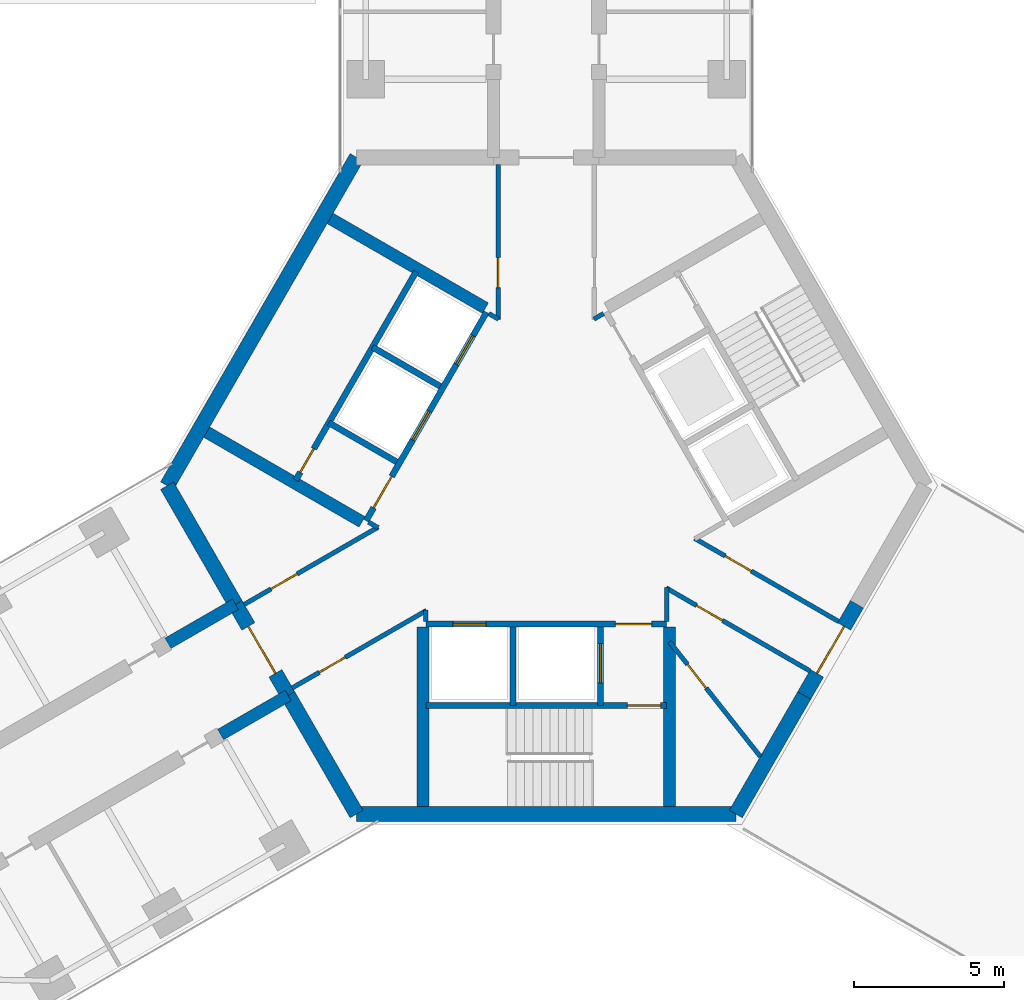
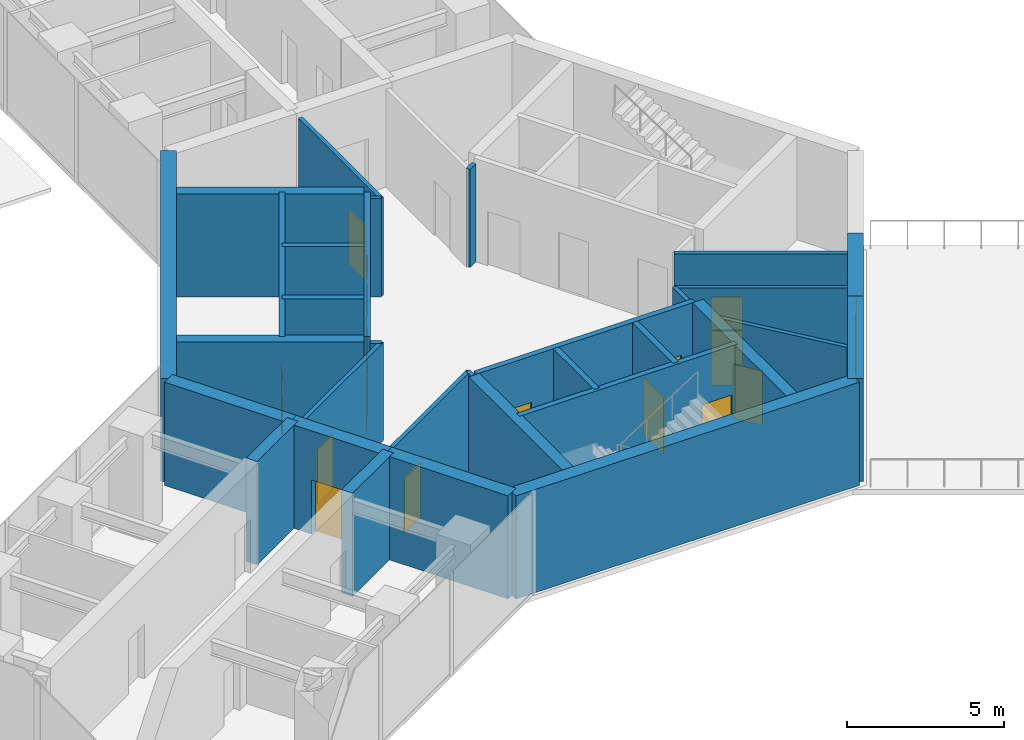
# One storey, part 14 of 18: 32 walls, 16 doors, 16 openings.
"""IFC4 building model written with IfcOpenShell, lengths in metres."""

from ifc_helpers import new_model, si_unit, direction, frame, frame_2d, origin, place, context, subcontext, project, spatial, rectangle, extrude, material, layer, layer_set, type_object, element, fill, save


model = new_model("IFC4")

# Units and contexts
model_context = context("Model", 3, precision=1e-05, world=origin(), true_north=direction((0.0, 1.0)))
body_context = subcontext(model_context, "Body", "Model", "MODEL_VIEW")
ifc_project = project(units=[si_unit("LENGTHUNIT", "METRE"), si_unit("AREAUNIT", "SQUARE_METRE"), si_unit("VOLUMEUNIT", "CUBIC_METRE"), si_unit("PLANEANGLEUNIT", "RADIAN"), si_unit("MASSUNIT", "GRAM", prefix="KILO")], contexts=[model_context])

# Site, building, storey
site_placement = place(None, origin())
site = spatial("IfcSite", under=ifc_project, at=site_placement, CompositionType="ELEMENT")
building_placement = place(site_placement, origin())
building = spatial("IfcBuilding", under=site, at=building_placement, Name="Upepo Twin Towers", CompositionType="ELEMENT")
storey_placement = place(building_placement, frame((0.0, 0.0, 170.5)))
storey = spatial("IfcBuildingStorey", under=building, at=storey_placement, Name="L41", CompositionType="ELEMENT", Elevation=170.5)

# Walls
ifc_material_1 = material(Name="Concrete C60/75", Category="concrete")
ifc_layer_1 = layer(ifc_material_1, 0.39990234375)
ifc_layer_set_1 = layer_set([ifc_layer_1], Name="Concrete C60/75")
wall_type_1 = type_object("IfcWallType", Name="Buttress wall 400 RC", PredefinedType="SHEAR", material=ifc_layer_set_1)
for number, where, z_axis, x_axis, name in (
    (1, (49.92822265625, -24.9697265625, 0.0), (0.0, 0.0, 1.0), (-0.866031863473, -0.499988811324, 0.0), "T2 wing B buttress wall L"),
    (2, (48.17822265625, -21.938720703125, 0.0), (0.0, 0.0, 1.0), (-0.866072649678, -0.499918158782, 0.0), "T2 wing B buttress wall R"),
):
    element("IfcWall", number, at=place(storey_placement, frame(where, z_axis=z_axis, x_axis=x_axis)), inside=storey, type_object=wall_type_1, Name=name, PredefinedType="SHEAR", context=body_context, shape_type="SweptSolid", body=[
        extrude(rectangle(XDim=2.591796875, YDim=0.39990234375, at=frame_2d((1.2958984375, 0.0))), origin(), (0.0, 0.0, 1.0), 4.0),
    ])
ifc_material_2 = material(Name="Concrete C60/75", Category="concrete")
ifc_layer_2 = layer(ifc_material_2, 0.5)
ifc_layer_set_2 = layer_set([ifc_layer_2], Name="Concrete C60/75")
wall_type_2 = type_object("IfcWallType", Name="Core wall 500 RC", PredefinedType="SHEAR", material=ifc_layer_set_2)
wall_1_placement = place(storey_placement, frame((52.2021484375, -7.091552734375, 0.0), z_axis=(0.0, 0.0, 1.0), x_axis=(-0.500005998175, -0.866021940709, 0.0)))
element("IfcWall", 3, at=wall_1_placement, inside=storey, type_object=wall_type_2, Name="T2 core wall 060", PredefinedType="SHEAR", context=body_context, shape_type="SweptSolid", body=[
    extrude(rectangle(XDim=12.595947265625, YDim=0.5, at=frame_2d((6.2978515625, 0.0))), origin(), (0.0, 0.0, 1.0), 4.0),
])
wall_2_placement = place(storey_placement, frame((45.904052734375, -18.0, 0.0), z_axis=(0.0, 0.0, 1.0), x_axis=(0.500024481964, -0.866011268655, 0.0)))
element("IfcWall", 4, at=wall_2_placement, inside=storey, type_object=wall_type_2, Name="T2 core wall 120 R", PredefinedType="SHEAR", context=body_context, shape_type="SweptSolid", body=[
    extrude(rectangle(XDim=4.548095703125, YDim=0.5, at=frame_2d((2.27392578125, 0.0))), origin(), (0.0, 0.0, 1.0), 4.0),
])

# Wall, opening, door
wall_3_placement = place(storey_placement, frame((48.17822265625, -21.938720703125, 0.0), z_axis=(0.0, 0.0, 1.0), x_axis=(0.500010275428, -0.866019471182, 0.0)))
wall_3 = element("IfcWall", 5, at=wall_3_placement, inside=storey, type_object=wall_type_2, Name="T2 core wall 120", PredefinedType="SHEAR", context=body_context, shape_type="SweptSolid", body=[
    extrude(rectangle(XDim=3.5, YDim=0.5, at=frame_2d((1.75, 0.0))), origin(), (0.0, 0.0, 1.0), 4.0),
])
opening_1_placement = place(wall_3_placement, frame((0.85009765625, 0.0, 0.0)))
opening_1 = element("IfcOpeningElement", 6, at=opening_1_placement, cuts=wall_3, Name="Opening D2", PredefinedType="OPENING", context=body_context, shape_type="SweptSolid", body=[
    extrude(rectangle(XDim=1.800048828125, YDim=2.10009765625, at=frame_2d((0.89990234375, 1.050048828125))), frame((0.0, 0.260009765625, 0.0), z_axis=(0.0, -1.0, 0.0), x_axis=(1.0, 0.0, 0.0)), (0.0, 0.0, 1.0), 0.52001953125),
])
ifc_material_3 = material(Name="Timber doorset", Category="wood")
door_type_1 = type_object("IfcDoorType", Name="Corridor double door 1800 FD60", OperationType="DOUBLE_DOOR_DOUBLE_SWING", PredefinedType="DOOR", material=ifc_material_3)
door_1_placement = place(opening_1_placement, origin())
door_1 = element("IfcDoor", 7, at=door_1_placement, inside=storey, type_object=door_type_1, Name="T2 L41 wing B corridor door", OperationType="DOUBLE_DOOR_DOUBLE_SWING", OverallHeight=2.10009765625, OverallWidth=1.800048828125, PredefinedType="DOOR", context=body_context, shape_type="SweptSolid", body=[
    extrude(rectangle(XDim=1.800048828125, YDim=2.10009765625, at=frame_2d((0.89990234375, 1.050048828125))), frame((0.0, 0.02490234375, 0.0), z_axis=(0.0, -1.0, 0.0), x_axis=(1.0, 0.0, 0.0)), (0.0, 0.0, 1.0), 0.050048828125),
])
fill(opening_1, door_1)

# Walls
wall_4_placement = place(storey_placement, frame((49.92822265625, -24.9697265625, 0.0), z_axis=(0.0, 0.0, 1.0), x_axis=(0.499984222037, -0.866034513004, 0.0)))
element("IfcWall", 8, at=wall_4_placement, inside=storey, type_object=wall_type_2, Name="T2 core wall 120 L", PredefinedType="SHEAR", context=body_context, shape_type="SweptSolid", body=[
    extrude(rectangle(XDim=4.548095703125, YDim=0.5, at=frame_2d((2.27392578125, 0.0))), origin(), (0.0, 0.0, 1.0), 4.0),
])
wall_5_placement = place(storey_placement, frame((52.2021484375, -28.908447265625, 0.0), z_axis=(0.0, 0.0, 1.0), x_axis=(1.0, 0.0, 0.0)))
element("IfcWall", 9, at=wall_5_placement, inside=storey, type_object=wall_type_2, Name="T2 core wall 180", PredefinedType="SHEAR", context=body_context, shape_type="SweptSolid", body=[
    extrude(rectangle(XDim=12.595703125, YDim=0.5, at=frame_2d((6.2978515625, 0.0))), origin(), (0.0, 0.0, 1.0), 4.0),
])
wall_6_placement = place(storey_placement, frame((64.7978515625, -28.908447265625, 0.0), z_axis=(0.0, 0.0, 1.0), x_axis=(0.499984222037, 0.866034513004, 0.0)))
element("IfcWall", 10, at=wall_6_placement, inside=storey, type_object=wall_type_2, Name="T2 core wall 240 R", PredefinedType="SHEAR", context=body_context, shape_type="SweptSolid", body=[
    extrude(rectangle(XDim=4.548095703125, YDim=0.5, at=frame_2d((2.27392578125, 0.0))), origin(), (0.0, 0.0, 1.0), 4.0),
])

# Wall, opening, door
wall_7_placement = place(storey_placement, frame((67.07177734375, -24.9697265625, 0.0), z_axis=(0.0, 0.0, 1.0), x_axis=(0.500010275428, 0.866019471182, 0.0)))
wall_7 = element("IfcWall", 11, at=wall_7_placement, inside=storey, type_object=wall_type_2, Name="T2 core wall 240", PredefinedType="SHEAR", context=body_context, shape_type="SweptSolid", body=[
    extrude(rectangle(XDim=3.5, YDim=0.5, at=frame_2d((1.75, 0.0))), origin(), (0.0, 0.0, 1.0), 4.0),
])
opening_2_placement = place(wall_7_placement, frame((0.85009765625, 0.0, 0.0)))
opening_2 = element("IfcOpeningElement", 12, at=opening_2_placement, cuts=wall_7, Name="Opening D2", PredefinedType="OPENING", context=body_context, shape_type="SweptSolid", body=[
    extrude(rectangle(XDim=1.800048828125, YDim=2.10009765625, at=frame_2d((0.89990234375, 1.050048828125))), frame((0.0, 0.260009765625, 0.0), z_axis=(0.0, -1.0, 0.0), x_axis=(1.0, 0.0, 0.0)), (0.0, 0.0, 1.0), 0.52001953125),
])
door_2_placement = place(opening_2_placement, origin())
door_2 = element("IfcDoor", 13, at=door_2_placement, inside=storey, type_object=door_type_1, Name="T2 L41 sky terrace door", OperationType="DOUBLE_DOOR_DOUBLE_SWING", OverallHeight=2.10009765625, OverallWidth=1.800048828125, PredefinedType="DOOR", context=body_context, shape_type="SweptSolid", body=[
    extrude(rectangle(XDim=1.800048828125, YDim=2.10009765625, at=frame_2d((0.89990234375, 1.050048828125))), frame((0.0, 0.02490234375, 0.0), z_axis=(0.0, -1.0, 0.0), x_axis=(1.0, 0.0, 0.0)), (0.0, 0.0, 1.0), 0.050048828125),
])
fill(opening_2, door_2)

# Wall, openings, doors
ifc_material_4 = material(Name="Concrete C40/50", Category="concrete")
ifc_layer_3 = layer(ifc_material_4, 0.199951171875)
ifc_layer_set_3 = layer_set([ifc_layer_3], Name="Concrete C40/50")
wall_type_3 = type_object("IfcWallType", Name="Shaft wall 200 RC", PredefinedType="SHEAR", material=ifc_layer_set_3)
wall_8_placement = place(storey_placement, frame((56.516357421875, -12.23583984375, 0.0), z_axis=(0.0, 0.0, 1.0), x_axis=(-0.49999894854, -0.866026010844, 0.0)))
wall_8 = element("IfcWall", 14, at=wall_8_placement, inside=storey, type_object=wall_type_3, Name="T2 core W60 front wall", PredefinedType="SHEAR", context=body_context, shape_type="SweptSolid", body=[
    extrude(rectangle(XDim=8.0, YDim=0.199951171875, at=frame_2d((4.0, 0.0))), origin(), (0.0, 0.0, 1.0), 4.0),
])
opening_3_placement = place(wall_8_placement, frame((6.300048828125, 0.0, 0.0)))
opening_3 = element("IfcOpeningElement", 15, at=opening_3_placement, cuts=wall_8, Name="Opening D4", PredefinedType="OPENING", context=body_context, shape_type="SweptSolid", body=[
    extrude(rectangle(XDim=1.199951171875, YDim=2.10009765625, at=frame_2d((0.60009765625, 1.050048828125))), frame((0.0, 0.10986328125, 0.0), z_axis=(0.0, -1.0, 0.0), x_axis=(1.0, 0.0, 0.0)), (0.0, 0.0, 1.0), 0.219970703125),
])
opening_4_placement = place(wall_8_placement, frame((0.89990234375, 0.0, 0.0)))
opening_4 = element("IfcOpeningElement", 16, at=opening_4_placement, cuts=wall_8, Name="Opening LD1", PredefinedType="OPENING", context=body_context, shape_type="SweptSolid", body=[
    extrude(rectangle(XDim=1.10009765625, YDim=2.199951171875, at=frame_2d((0.550048828125, 1.10009765625))), frame((0.0, 0.10986328125, 0.0), z_axis=(0.0, -1.0, 0.0), x_axis=(1.0, 0.0, 0.0)), (0.0, 0.0, 1.0), 0.219970703125),
])
opening_5_placement = place(wall_8_placement, frame((3.800048828125, 0.0, 0.0)))
opening_5 = element("IfcOpeningElement", 17, at=opening_5_placement, cuts=wall_8, Name="Opening LD1", PredefinedType="OPENING", context=body_context, shape_type="SweptSolid", body=[
    extrude(rectangle(XDim=1.10009765625, YDim=2.199951171875, at=frame_2d((0.550048828125, 1.10009765625))), frame((0.0, 0.10986328125, 0.0), z_axis=(0.0, -1.0, 0.0), x_axis=(1.0, 0.0, 0.0)), (0.0, 0.0, 1.0), 0.219970703125),
])
ifc_material_5 = material(Name="Steel doorset", Category="steel")
door_type_2 = type_object("IfcDoorType", Name="Lift landing door 1100", OperationType="DOUBLE_DOOR_SLIDING", PredefinedType="DOOR", material=ifc_material_5)
door_3_placement = place(opening_4_placement, origin())
door_3 = element("IfcDoor", 18, at=door_3_placement, inside=storey, type_object=door_type_2, Name="T2 L41 lift EX1 landing door", OperationType="DOUBLE_DOOR_SLIDING", OverallHeight=2.199951171875, OverallWidth=1.10009765625, PredefinedType="DOOR", context=body_context, shape_type="SweptSolid", body=[
    extrude(rectangle(XDim=1.10009765625, YDim=2.199951171875, at=frame_2d((0.550048828125, 1.10009765625))), frame((0.0, 0.02490234375, 0.0), z_axis=(0.0, -1.0, 0.0), x_axis=(1.0, 0.0, 0.0)), (0.0, 0.0, 1.0), 0.050048828125),
])
fill(opening_4, door_3)
door_4_placement = place(opening_5_placement, origin())
door_4 = element("IfcDoor", 19, at=door_4_placement, inside=storey, type_object=door_type_2, Name="T2 L41 lift EX2 landing door", OperationType="DOUBLE_DOOR_SLIDING", OverallHeight=2.199951171875, OverallWidth=1.10009765625, PredefinedType="DOOR", context=body_context, shape_type="SweptSolid", body=[
    extrude(rectangle(XDim=1.10009765625, YDim=2.199951171875, at=frame_2d((0.550048828125, 1.10009765625))), frame((0.0, 0.02490234375, 0.0), z_axis=(0.0, -1.0, 0.0), x_axis=(1.0, 0.0, 0.0)), (0.0, 0.0, 1.0), 0.050048828125),
])
fill(opening_5, door_4)
ifc_material_6 = material(Name="Timber doorset", Category="wood")
door_type_3 = type_object("IfcDoorType", Name="Lobby door 1200 FD60", OperationType="SINGLE_SWING_LEFT", PredefinedType="DOOR", material=ifc_material_6)
door_5_placement = place(opening_3_placement, origin())
door_5 = element("IfcDoor", 20, at=door_5_placement, inside=storey, type_object=door_type_3, Name="T2 L41 W60 lobby door", OperationType="SINGLE_SWING_RIGHT", OverallHeight=2.10009765625, OverallWidth=1.199951171875, PredefinedType="DOOR", context=body_context, shape_type="SweptSolid", body=[
    extrude(rectangle(XDim=1.199951171875, YDim=2.10009765625, at=frame_2d((0.60009765625, 1.050048828125))), frame((0.0, 0.02490234375, 0.0), z_axis=(0.0, -1.0, 0.0), x_axis=(1.0, 0.0, 0.0)), (0.0, 0.0, 1.0), 0.050048828125),
])
fill(opening_3, door_5)

# Walls
for number, where, z_axis, x_axis, name in (
    (21, (54.979736328125, -14.697265625, 0.0), (0.0, 0.0, 1.0), (-0.866062058628, 0.499936506574, 0.0), "T2 core W60 shaft divider"),
    (22, (53.52978515625, -17.208740234375, 0.0), (0.0, 0.0, 1.0), (-0.866062058628, 0.499936506574, 0.0), "T2 core W60 lobby wall"),
):
    element("IfcWall", number, at=place(storey_placement, frame(where, z_axis=z_axis, x_axis=x_axis)), inside=storey, type_object=wall_type_3, Name=name, PredefinedType="SHEAR", context=body_context, shape_type="SweptSolid", body=[
        extrude(rectangle(XDim=2.599853515625, YDim=0.199951171875, at=frame_2d((1.2998046875, 0.0))), origin(), (0.0, 0.0, 1.0), 4.0),
    ])

# Wall, opening, door
wall_9_placement = place(storey_placement, frame((54.177978515625, -10.885986328125, 0.0), z_axis=(0.0, 0.0, 1.0), x_axis=(-0.49999894854, -0.866026010844, 0.0)))
wall_9 = element("IfcWall", 23, at=wall_9_placement, inside=storey, type_object=wall_type_3, Name="T2 core W60 stair wall", PredefinedType="SHEAR", context=body_context, shape_type="SweptSolid", body=[
    extrude(rectangle(XDim=8.0, YDim=0.199951171875, at=frame_2d((4.0, 0.0))), origin(), (0.0, 0.0, 1.0), 4.0),
])
opening_6_placement = place(wall_9_placement, frame((6.800048828125, 0.0, 0.0)))
opening_6 = element("IfcOpeningElement", 24, at=opening_6_placement, cuts=wall_9, Name="Opening D9", PredefinedType="OPENING", context=body_context, shape_type="SweptSolid", body=[
    extrude(rectangle(XDim=0.89990234375, YDim=2.10009765625, at=frame_2d((0.449951171875, 1.050048828125))), frame((0.0, 0.10986328125, 0.0), z_axis=(0.0, -1.0, 0.0), x_axis=(1.0, 0.0, 0.0)), (0.0, 0.0, 1.0), 0.219970703125),
])
ifc_material_7 = material(Name="Timber doorset", Category="wood")
door_type_4 = type_object("IfcDoorType", Name="Riser door 900 FD60", OperationType="SINGLE_SWING_LEFT", PredefinedType="DOOR", material=ifc_material_7)
door_6_placement = place(opening_6_placement, origin())
door_6 = element("IfcDoor", 25, at=door_6_placement, inside=storey, type_object=door_type_4, Name="T2 L41 riser door", OperationType="SINGLE_SWING_RIGHT", OverallHeight=2.10009765625, OverallWidth=0.89990234375, PredefinedType="DOOR", context=body_context, shape_type="SweptSolid", body=[
    extrude(rectangle(XDim=0.89990234375, YDim=2.10009765625, at=frame_2d((0.449951171875, 1.050048828125))), frame((0.0, 0.02490234375, 0.0), z_axis=(0.0, -1.0, 0.0), x_axis=(1.0, 0.0, 0.0)), (0.0, 0.0, 1.0), 0.050048828125),
])
fill(opening_6, door_6)

# Wall, openings, doors
wall_10_placement = place(storey_placement, frame((54.5, -22.60009765625, 0.0), z_axis=(0.0, 0.0, 1.0), x_axis=(1.0, 0.0, 0.0)))
wall_10 = element("IfcWall", 26, at=wall_10_placement, inside=storey, type_object=wall_type_3, Name="T2 core W180 front wall", PredefinedType="SHEAR", context=body_context, shape_type="SweptSolid", body=[
    extrude(rectangle(XDim=8.0, YDim=0.199951171875, at=frame_2d((4.0, 0.0))), origin(), (0.0, 0.0, 1.0), 4.0),
])
opening_7_placement = place(wall_10_placement, frame((6.300048828125, 0.0, 0.0)))
opening_7 = element("IfcOpeningElement", 27, at=opening_7_placement, cuts=wall_10, Name="Opening D4", PredefinedType="OPENING", context=body_context, shape_type="SweptSolid", body=[
    extrude(rectangle(XDim=1.199951171875, YDim=2.10009765625, at=frame_2d((0.60009765625, 1.050048828125))), frame((0.0, 0.10986328125, 0.0), z_axis=(0.0, -1.0, 0.0), x_axis=(1.0, 0.0, 0.0)), (0.0, 0.0, 1.0), 0.219970703125),
])
opening_8_placement = place(wall_10_placement, frame((0.89990234375, 0.0, 0.0)))
opening_8 = element("IfcOpeningElement", 28, at=opening_8_placement, cuts=wall_10, Name="Opening LD1", PredefinedType="OPENING", context=body_context, shape_type="SweptSolid", body=[
    extrude(rectangle(XDim=1.10009765625, YDim=2.199951171875, at=frame_2d((0.550048828125, 1.10009765625))), frame((0.0, 0.10986328125, 0.0), z_axis=(0.0, -1.0, 0.0), x_axis=(1.0, 0.0, 0.0)), (0.0, 0.0, 1.0), 0.219970703125),
])
door_7_placement = place(opening_8_placement, origin())
door_7 = element("IfcDoor", 29, at=door_7_placement, inside=storey, type_object=door_type_2, Name="T2 L41 lift SV1 landing door", OperationType="DOUBLE_DOOR_SLIDING", OverallHeight=2.199951171875, OverallWidth=1.10009765625, PredefinedType="DOOR", context=body_context, shape_type="SweptSolid", body=[
    extrude(rectangle(XDim=1.10009765625, YDim=2.199951171875, at=frame_2d((0.550048828125, 1.10009765625))), frame((0.0, 0.02490234375, 0.0), z_axis=(0.0, -1.0, 0.0), x_axis=(1.0, 0.0, 0.0)), (0.0, 0.0, 1.0), 0.050048828125),
])
fill(opening_8, door_7)
door_8_placement = place(opening_7_placement, origin())
door_8 = element("IfcDoor", 30, at=door_8_placement, inside=storey, type_object=door_type_3, Name="T2 L41 W180 lobby door", OperationType="SINGLE_SWING_RIGHT", OverallHeight=2.10009765625, OverallWidth=1.199951171875, PredefinedType="DOOR", context=body_context, shape_type="SweptSolid", body=[
    extrude(rectangle(XDim=1.199951171875, YDim=2.10009765625, at=frame_2d((0.60009765625, 1.050048828125))), frame((0.0, 0.02490234375, 0.0), z_axis=(0.0, -1.0, 0.0), x_axis=(1.0, 0.0, 0.0)), (0.0, 0.0, 1.0), 0.050048828125),
])
fill(opening_7, door_8)

# Wall
wall_11_placement = place(storey_placement, frame((57.39990234375, -22.699951171875, 0.0), z_axis=(0.0, 0.0, 1.0), x_axis=(0.0, -1.0, 0.0)))
element("IfcWall", 31, at=wall_11_placement, inside=storey, type_object=wall_type_3, Name="T2 core W180 shaft divider", PredefinedType="SHEAR", context=body_context, shape_type="SweptSolid", body=[
    extrude(rectangle(XDim=2.60009765625, YDim=0.199951171875, at=frame_2d((1.300048828125, 0.0))), origin(), (0.0, 0.0, 1.0), 4.0),
])

# Wall, opening, door
wall_12_placement = place(storey_placement, frame((60.300048828125, -22.699951171875, 0.0), z_axis=(0.0, 0.0, 1.0), x_axis=(0.0, -1.0, 0.0)))
wall_12 = element("IfcWall", 32, at=wall_12_placement, inside=storey, type_object=wall_type_3, Name="T2 core W180 lobby wall", PredefinedType="SHEAR", context=body_context, shape_type="SweptSolid", body=[
    extrude(rectangle(XDim=2.60009765625, YDim=0.199951171875, at=frame_2d((1.300048828125, 0.0))), origin(), (0.0, 0.0, 1.0), 4.0),
])
opening_9_placement = place(wall_12_placement, frame((0.550048828125, 0.0, 0.0)))
opening_9 = element("IfcOpeningElement", 33, at=opening_9_placement, cuts=wall_12, Name="Opening LD2", PredefinedType="OPENING", context=body_context, shape_type="SweptSolid", body=[
    extrude(rectangle(XDim=1.300048828125, YDim=2.199951171875, at=frame_2d((0.64990234375, 1.10009765625))), frame((0.0, 0.10986328125, 0.0), z_axis=(0.0, -1.0, 0.0), x_axis=(1.0, 0.0, 0.0)), (0.0, 0.0, 1.0), 0.219970703125),
])
ifc_material_8 = material(Name="Steel doorset", Category="steel")
door_type_5 = type_object("IfcDoorType", Name="Firefighting lift landing door 1300", OperationType="DOUBLE_DOOR_SLIDING", PredefinedType="DOOR", material=ifc_material_8)
door_9_placement = place(opening_9_placement, origin())
door_9 = element("IfcDoor", 34, at=door_9_placement, inside=storey, type_object=door_type_5, Name="T2 L41 firefighting lift landing door", OperationType="DOUBLE_DOOR_SLIDING", OverallHeight=2.199951171875, OverallWidth=1.300048828125, PredefinedType="DOOR", context=body_context, shape_type="SweptSolid", body=[
    extrude(rectangle(XDim=1.300048828125, YDim=2.199951171875, at=frame_2d((0.64990234375, 1.10009765625))), frame((0.0, 0.02490234375, 0.0), z_axis=(0.0, -1.0, 0.0), x_axis=(1.0, 0.0, 0.0)), (0.0, 0.0, 1.0), 0.050048828125),
])
fill(opening_9, door_9)

wall_13_placement = place(storey_placement, frame((54.5, -25.300048828125, 0.0), z_axis=(0.0, 0.0, 1.0), x_axis=(1.0, 0.0, 0.0)))
wall_13 = element("IfcWall", 35, at=wall_13_placement, inside=storey, type_object=wall_type_3, Name="T2 core W180 stair wall", PredefinedType="SHEAR", context=body_context, shape_type="SweptSolid", body=[
    extrude(rectangle(XDim=8.0, YDim=0.199951171875, at=frame_2d((4.0, 0.0))), origin(), (0.0, 0.0, 1.0), 4.0),
])
opening_10_placement = place(wall_13_placement, frame((6.699951171875, 0.0, 0.0)))
opening_10 = element("IfcOpeningElement", 36, at=opening_10_placement, cuts=wall_13, Name="Opening D3", PredefinedType="OPENING", context=body_context, shape_type="SweptSolid", body=[
    extrude(rectangle(XDim=1.10009765625, YDim=2.10009765625, at=frame_2d((0.550048828125, 1.050048828125))), frame((0.0, 0.10986328125, 0.0), z_axis=(0.0, -1.0, 0.0), x_axis=(1.0, 0.0, 0.0)), (0.0, 0.0, 1.0), 0.219970703125),
])
ifc_material_9 = material(Name="Timber doorset", Category="wood")
door_type_6 = type_object("IfcDoorType", Name="Stair door 1100 FD60", OperationType="SINGLE_SWING_LEFT", PredefinedType="DOOR", material=ifc_material_9)
door_10_placement = place(opening_10_placement, origin())
door_10 = element("IfcDoor", 37, at=door_10_placement, inside=storey, type_object=door_type_6, Name="T2 L41 stair door", OperationType="SINGLE_SWING_RIGHT", OverallHeight=2.10009765625, OverallWidth=1.10009765625, PredefinedType="DOOR", context=body_context, shape_type="SweptSolid", body=[
    extrude(rectangle(XDim=1.10009765625, YDim=2.10009765625, at=frame_2d((0.550048828125, 1.050048828125))), frame((0.0, 0.02490234375, 0.0), z_axis=(0.0, -1.0, 0.0), x_axis=(1.0, 0.0, 0.0)), (0.0, 0.0, 1.0), 0.050048828125),
])
fill(opening_10, door_10)

# Walls
ifc_material_10 = material(Name="Concrete C40/50", Category="concrete")
ifc_layer_4 = layer(ifc_material_10, 0.39990234375)
ifc_layer_set_4 = layer_set([ifc_layer_4], Name="Concrete C40/50")
wall_type_4 = type_object("IfcWallType", Name="Shaft wall 400 RC", PredefinedType="SHEAR", material=ifc_layer_set_4)
wall_14_placement = place(storey_placement, frame((52.379638671875, -19.20068359375, 0.0), z_axis=(0.0, 0.0, 1.0), x_axis=(-0.866012946976, 0.500021575205, 0.0)))
element("IfcWall", 38, at=wall_14_placement, inside=storey, type_object=wall_type_4, Name="T2 core W60 side wall N", PredefinedType="SHEAR", context=body_context, shape_type="SweptSolid", body=[
    extrude(rectangle(XDim=5.958251953125, YDim=0.39990234375, at=frame_2d((2.97900390625, 0.0))), origin(), (0.0, 0.0, 1.0), 4.0),
])
for number, where, z_axis, x_axis, name in (
    (39, (56.479736328125, -12.099365234375, 0.0), (0.0, 0.0, 1.0), (-0.86602319114, 0.500003832394, 0.0), "T2 core W60 side wall S"),
    (40, (62.60009765625, -22.699951171875, 0.0), (0.0, 0.0, 1.0), (0.0, -1.0, 0.0), "T2 core W180 side wall N"),
    (41, (54.39990234375, -22.699951171875, 0.0), (0.0, 0.0, 1.0), (0.0, -1.0, 0.0), "T2 core W180 side wall S"),
):
    element("IfcWall", number, at=place(storey_placement, frame(where, z_axis=z_axis, x_axis=x_axis)), inside=storey, type_object=wall_type_4, Name=name, PredefinedType="SHEAR", context=body_context, shape_type="SweptSolid", body=[
        extrude(rectangle(XDim=5.95849609375, YDim=0.39990234375, at=frame_2d((2.979248046875, 0.0))), origin(), (0.0, 0.0, 1.0), 4.0),
    ])
ifc_material_11 = material(Name="Gypsum board on steel studs", Category="steel")
ifc_layer_5 = layer(ifc_material_11, 0.14990234375)
ifc_layer_set_5 = layer_set([ifc_layer_5], Name="Teaching partition 150 acoustic")
wall_type_5 = type_object("IfcWallType", Name="Teaching partition 150 acoustic", PredefinedType="PARTITIONING", material=ifc_layer_set_5)
wall_15_placement = place(storey_placement, frame((54.5, -22.510009765625, 0.0), z_axis=(0.0, 0.0, 1.0), x_axis=(0.0, 1.0, 0.0)))
element("IfcWall", 42, at=wall_15_placement, inside=storey, type_object=wall_type_5, Name="T2 core room partition 1", PredefinedType="PARTITIONING", context=body_context, shape_type="SweptSolid", body=[
    extrude(rectangle(XDim=0.373046875, YDim=0.14990234375, at=frame_2d((0.1865234375, 0.0))), origin(), (0.0, 0.0, 1.0), 3.800048828125),
])

# Wall, opening, door
wall_16_placement = place(storey_placement, frame((54.517333984375, -22.14697265625, 0.0), z_axis=(0.0, 0.0, 1.0), x_axis=(-0.866033096941, -0.499986674824, 0.0)))
wall_16 = element("IfcWall", 43, at=wall_16_placement, inside=storey, type_object=wall_type_5, Name="T2 core room partition 2", PredefinedType="PARTITIONING", context=body_context, shape_type="SweptSolid", body=[
    extrude(rectangle(XDim=5.145751953125, YDim=0.14990234375, at=frame_2d((2.57275390625, 0.0))), origin(), (0.0, 0.0, 1.0), 3.800048828125),
])
opening_11_placement = place(wall_16_placement, frame((3.108154296875, 0.0, 0.0)))
opening_11 = element("IfcOpeningElement", 44, at=opening_11_placement, cuts=wall_16, Name="Opening D1", PredefinedType="OPENING", context=body_context, shape_type="SweptSolid", body=[
    extrude(rectangle(XDim=1.0, YDim=2.10009765625, at=frame_2d((0.5, 1.050048828125))), frame((0.0, 0.0849609375, 0.0), z_axis=(0.0, -1.0, 0.0), x_axis=(1.0, 0.0, 0.0)), (0.0, 0.0, 1.0), 0.169921875),
])
ifc_material_12 = material(Name="Timber doorset", Category="wood")
door_type_7 = type_object("IfcDoorType", Name="Room door 1000 FD30", OperationType="SINGLE_SWING_LEFT", PredefinedType="DOOR", material=ifc_material_12)
door_11_placement = place(opening_11_placement, origin())
door_11 = element("IfcDoor", 45, at=door_11_placement, inside=storey, type_object=door_type_7, Name="T2 L41 core room door K2", OperationType="SINGLE_SWING_RIGHT", OverallHeight=2.10009765625, OverallWidth=1.0, PredefinedType="DOOR", context=body_context, shape_type="SweptSolid", body=[
    extrude(rectangle(XDim=1.0, YDim=2.10009765625, at=frame_2d((0.5, 1.050048828125))), frame((0.0, 0.02490234375, 0.0), z_axis=(0.0, -1.0, 0.0), x_axis=(1.0, 0.0, 0.0)), (0.0, 0.0, 1.0), 0.050048828125),
])
fill(opening_11, door_11)

wall_17_placement = place(storey_placement, frame((48.4609375, -21.948486328125, 0.0), z_axis=(0.0, 0.0, 1.0), x_axis=(0.866012552312, 0.500022258742, 0.0)))
wall_17 = element("IfcWall", 46, at=wall_17_placement, inside=storey, type_object=wall_type_5, Name="T2 core room partition 3", PredefinedType="PARTITIONING", context=body_context, shape_type="SweptSolid", body=[
    extrude(rectangle(XDim=5.145751953125, YDim=0.14990234375, at=frame_2d((2.57275390625, 0.0))), origin(), (0.0, 0.0, 1.0), 3.800048828125),
])
opening_12_placement = place(wall_17_placement, frame((1.03759765625, 0.0, 0.0)))
opening_12 = element("IfcOpeningElement", 47, at=opening_12_placement, cuts=wall_17, Name="Opening D1", PredefinedType="OPENING", context=body_context, shape_type="SweptSolid", body=[
    extrude(rectangle(XDim=1.0, YDim=2.10009765625, at=frame_2d((0.5, 1.050048828125))), frame((0.0, 0.0849609375, 0.0), z_axis=(0.0, -1.0, 0.0), x_axis=(1.0, 0.0, 0.0)), (0.0, 0.0, 1.0), 0.169921875),
])
door_12_placement = place(opening_12_placement, origin())
door_12 = element("IfcDoor", 48, at=door_12_placement, inside=storey, type_object=door_type_7, Name="T2 L41 core room door K1", OperationType="SINGLE_SWING_LEFT", OverallHeight=2.10009765625, OverallWidth=1.0, PredefinedType="DOOR", context=body_context, shape_type="SweptSolid", body=[
    extrude(rectangle(XDim=1.0, YDim=2.10009765625, at=frame_2d((0.5, 1.050048828125))), frame((0.0, 0.02490234375, 0.0), z_axis=(0.0, -1.0, 0.0), x_axis=(1.0, 0.0, 0.0)), (0.0, 0.0, 1.0), 0.050048828125),
])
fill(opening_12, door_12)

# Walls
wall_18_placement = place(storey_placement, frame((52.917236328125, -19.3955078125, 0.0), z_axis=(0.0, 0.0, 1.0), x_axis=(-0.865978465477, 0.500081290722, 0.0)))
element("IfcWall", 49, at=wall_18_placement, inside=storey, type_object=wall_type_5, Name="T2 core room partition 4", PredefinedType="PARTITIONING", context=body_context, shape_type="SweptSolid", body=[
    extrude(rectangle(XDim=0.373046875, YDim=0.14990234375, at=frame_2d((0.1865234375, 0.0))), origin(), (0.0, 0.0, 1.0), 3.800048828125),
])
wall_19_placement = place(storey_placement, frame((56.59423828125, -12.281005859375, 0.0), z_axis=(0.0, 0.0, 1.0), x_axis=(0.866261881104, -0.499590185398, 0.0)))
element("IfcWall", 50, at=wall_19_placement, inside=storey, type_object=wall_type_5, Name="T2 core room partition 5", PredefinedType="PARTITIONING", context=body_context, shape_type="SweptSolid", body=[
    extrude(rectangle(XDim=0.372802734375, YDim=0.14990234375, at=frame_2d((0.1865234375, 0.0))), origin(), (0.0, 0.0, 1.0), 3.800048828125),
])

# Wall, opening, door
wall_20_placement = place(storey_placement, frame((56.89990234375, -12.477294921875, 0.0), z_axis=(0.0, 0.0, 1.0), x_axis=(0.0, 1.0, 0.0)))
wall_20 = element("IfcWall", 51, at=wall_20_placement, inside=storey, type_object=wall_type_5, Name="T2 core room partition 6", PredefinedType="PARTITIONING", context=body_context, shape_type="SweptSolid", body=[
    extrude(rectangle(XDim=5.1455078125, YDim=0.14990234375, at=frame_2d((2.57275390625, 0.0))), origin(), (0.0, 0.0, 1.0), 3.800048828125),
])
opening_13_placement = place(wall_20_placement, frame((1.057861328125, 0.0, 0.0)))
opening_13 = element("IfcOpeningElement", 52, at=opening_13_placement, cuts=wall_20, Name="Opening D1", PredefinedType="OPENING", context=body_context, shape_type="SweptSolid", body=[
    extrude(rectangle(XDim=1.0, YDim=2.10009765625, at=frame_2d((0.5, 1.050048828125))), frame((0.0, 0.0849609375, 0.0), z_axis=(0.0, -1.0, 0.0), x_axis=(1.0, 0.0, 0.0)), (0.0, 0.0, 1.0), 0.169921875),
])
door_13_placement = place(opening_13_placement, origin())
door_13 = element("IfcDoor", 53, at=door_13_placement, inside=storey, type_object=door_type_7, Name="T2 L41 core room door K7", OperationType="SINGLE_SWING_LEFT", OverallHeight=2.10009765625, OverallWidth=1.0, PredefinedType="DOOR", context=body_context, shape_type="SweptSolid", body=[
    extrude(rectangle(XDim=1.0, YDim=2.10009765625, at=frame_2d((0.5, 1.050048828125))), frame((0.0, 0.02490234375, 0.0), z_axis=(0.0, -1.0, 0.0), x_axis=(1.0, 0.0, 0.0)), (0.0, 0.0, 1.0), 0.050048828125),
])
fill(opening_13, door_13)

# Wall
wall_21_placement = place(storey_placement, frame((60.082763671875, -12.46728515625, 0.0), z_axis=(0.0, 0.0, 1.0), x_axis=(0.866261881104, 0.499590185398, 0.0)))
element("IfcWall", 54, at=wall_21_placement, inside=storey, type_object=wall_type_5, Name="T2 core room partition 8", PredefinedType="PARTITIONING", context=body_context, shape_type="SweptSolid", body=[
    extrude(rectangle(XDim=0.372802734375, YDim=0.14990234375, at=frame_2d((0.1865234375, 0.0))), origin(), (0.0, 0.0, 1.0), 3.800048828125),
])

# Wall, opening, door
wall_22_placement = place(storey_placement, frame((63.4326171875, -19.7509765625, 0.0), z_axis=(0.0, 0.0, 1.0), x_axis=(0.866033158832, -0.499986567624, 0.0)))
wall_22 = element("IfcWall", 55, at=wall_22_placement, inside=storey, type_object=wall_type_5, Name="T2 core room partition 10", PredefinedType="PARTITIONING", context=body_context, shape_type="SweptSolid", body=[
    extrude(rectangle(XDim=5.521240234375, YDim=0.14990234375, at=frame_2d((2.7607421875, 0.0))), origin(), (0.0, 0.0, 1.0), 3.800048828125),
])
opening_14_placement = place(wall_22_placement, frame((1.17041015625, 0.0, 0.0)))
opening_14 = element("IfcOpeningElement", 56, at=opening_14_placement, cuts=wall_22, Name="Opening D1", PredefinedType="OPENING", context=body_context, shape_type="SweptSolid", body=[
    extrude(rectangle(XDim=1.0, YDim=2.10009765625, at=frame_2d((0.5, 1.050048828125))), frame((0.0, 0.0849609375, 0.0), z_axis=(0.0, -1.0, 0.0), x_axis=(1.0, 0.0, 0.0)), (0.0, 0.0, 1.0), 0.169921875),
])
door_14_placement = place(opening_14_placement, origin())
door_14 = element("IfcDoor", 57, at=door_14_placement, inside=storey, type_object=door_type_7, Name="T2 L41 core room door K5", OperationType="SINGLE_SWING_LEFT", OverallHeight=2.10009765625, OverallWidth=1.0, PredefinedType="DOOR", context=body_context, shape_type="SweptSolid", body=[
    extrude(rectangle(XDim=1.0, YDim=2.10009765625, at=frame_2d((0.5, 1.050048828125))), frame((0.0, 0.02490234375, 0.0), z_axis=(0.0, -1.0, 0.0), x_axis=(1.0, 0.0, 0.0)), (0.0, 0.0, 1.0), 0.050048828125),
])
fill(opening_14, door_14)

wall_23_placement = place(storey_placement, frame((67.263916015625, -24.156982421875, 0.0), z_axis=(0.0, 0.0, 1.0), x_axis=(-0.866022103989, 0.50000571537, 0.0)))
wall_23 = element("IfcWall", 58, at=wall_23_placement, inside=storey, type_object=wall_type_5, Name="T2 core room partition 11", PredefinedType="PARTITIONING", context=body_context, shape_type="SweptSolid", body=[
    extrude(rectangle(XDim=5.52099609375, YDim=0.14990234375, at=frame_2d((2.760498046875, 0.0))), origin(), (0.0, 0.0, 1.0), 3.800048828125),
])
opening_15_placement = place(wall_23_placement, frame((3.3505859375, 0.0, 0.0)))
opening_15 = element("IfcOpeningElement", 59, at=opening_15_placement, cuts=wall_23, Name="Opening D1", PredefinedType="OPENING", context=body_context, shape_type="SweptSolid", body=[
    extrude(rectangle(XDim=1.0, YDim=2.10009765625, at=frame_2d((0.5, 1.050048828125))), frame((0.0, 0.0849609375, 0.0), z_axis=(0.0, -1.0, 0.0), x_axis=(1.0, 0.0, 0.0)), (0.0, 0.0, 1.0), 0.169921875),
])
door_15_placement = place(opening_15_placement, origin())
door_15 = element("IfcDoor", 60, at=door_15_placement, inside=storey, type_object=door_type_7, Name="T2 L41 core room door K4", OperationType="SINGLE_SWING_RIGHT", OverallHeight=2.10009765625, OverallWidth=1.0, PredefinedType="DOOR", context=body_context, shape_type="SweptSolid", body=[
    extrude(rectangle(XDim=1.0, YDim=2.10009765625, at=frame_2d((0.5, 1.050048828125))), frame((0.0, 0.02490234375, 0.0), z_axis=(0.0, -1.0, 0.0), x_axis=(1.0, 0.0, 0.0)), (0.0, 0.0, 1.0), 0.050048828125),
])
fill(opening_15, door_15)

# Wall
wall_24_placement = place(storey_placement, frame((62.5, -21.386474609375, 0.0), z_axis=(0.0, 0.0, 1.0), x_axis=(0.0, -1.0, 0.0)))
element("IfcWall", 61, at=wall_24_placement, inside=storey, type_object=wall_type_5, Name="T2 core room partition 12", PredefinedType="PARTITIONING", context=body_context, shape_type="SweptSolid", body=[
    extrude(rectangle(XDim=1.12353515625, YDim=0.14990234375, at=frame_2d((0.561767578125, 0.0))), origin(), (0.0, 0.0, 1.0), 3.800048828125),
])

# Wall, opening, door
wall_25_placement = place(storey_placement, frame((62.60009765625, -23.18701171875, 0.0), z_axis=(0.0, 0.0, 1.0), x_axis=(0.620111874039, -0.784513392923, 0.0)))
wall_25 = element("IfcWall", 62, at=wall_25_placement, inside=storey, type_object=wall_type_5, Name="T2 core room partition 13", PredefinedType="PARTITIONING", context=body_context, shape_type="SweptSolid", body=[
    extrude(rectangle(XDim=4.857421875, YDim=0.14990234375, at=frame_2d((2.4287109375, 0.0))), origin(), (0.0, 0.0, 1.0), 3.800048828125),
])
opening_16_placement = place(wall_25_placement, frame((0.957275390625, 0.0, 0.0)))
opening_16 = element("IfcOpeningElement", 63, at=opening_16_placement, cuts=wall_25, Name="Opening D1", PredefinedType="OPENING", context=body_context, shape_type="SweptSolid", body=[
    extrude(rectangle(XDim=1.0, YDim=2.10009765625, at=frame_2d((0.5, 1.050048828125))), frame((0.0, 0.0849609375, 0.0), z_axis=(0.0, -1.0, 0.0), x_axis=(1.0, 0.0, 0.0)), (0.0, 0.0, 1.0), 0.169921875),
])
door_16_placement = place(opening_16_placement, origin())
door_16 = element("IfcDoor", 64, at=door_16_placement, inside=storey, type_object=door_type_7, Name="T2 L41 core room door K3", OperationType="SINGLE_SWING_LEFT", OverallHeight=2.10009765625, OverallWidth=1.0, PredefinedType="DOOR", context=body_context, shape_type="SweptSolid", body=[
    extrude(rectangle(XDim=1.0, YDim=2.10009765625, at=frame_2d((0.5, 1.050048828125))), frame((0.0, 0.02490234375, 0.0), z_axis=(0.0, -1.0, 0.0), x_axis=(1.0, 0.0, 0.0)), (0.0, 0.0, 1.0), 0.050048828125),
])
fill(opening_16, door_16)

save(model, "model.ifc")
